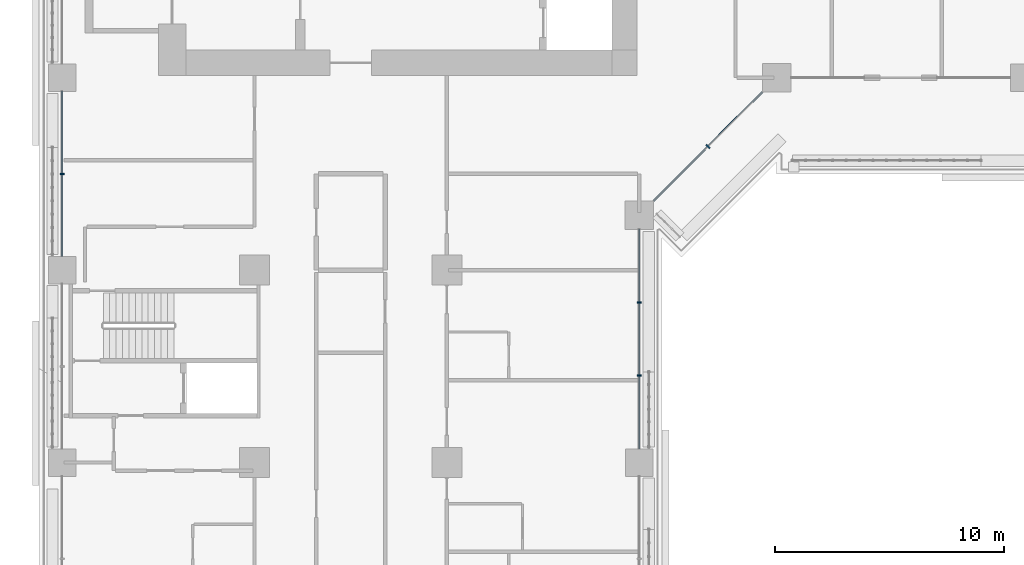
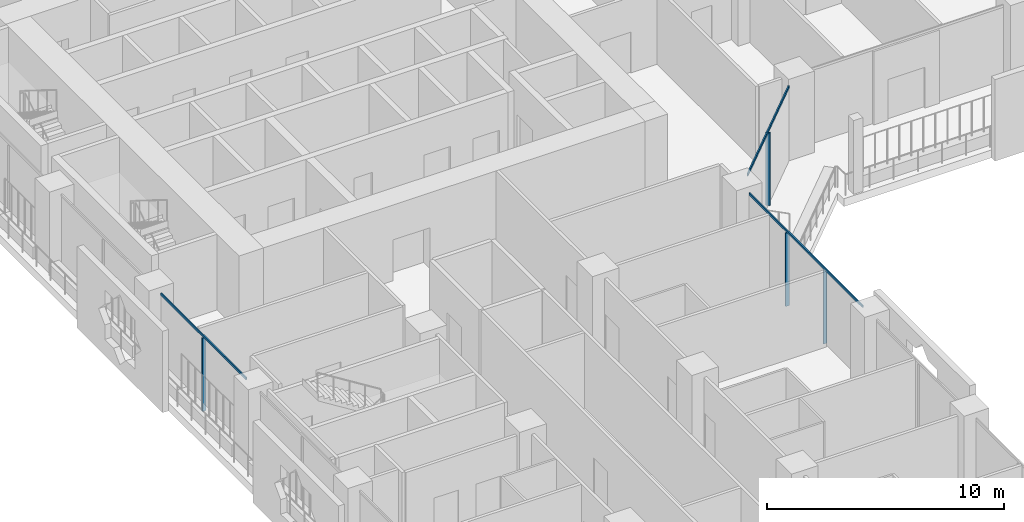
# One storey, part 4 of 28: 7 members, 3 elements without a shape of their own.
"""IFC4 building model written with IfcOpenShell, lengths in metres."""

from ifc_helpers import new_model, si_unit, direction, frame, origin, origin_2d, place, context, subcontext, project, spatial, rectangle, extrude, material, layer, layer_set, material_profile, profile_set, type_object, element, aggregate, save


model = new_model("IFC4")

# Units and contexts
model_context = context("Model", 3, precision=1e-05, world=origin(), true_north=direction((0.0, 1.0)))
body_context = subcontext(model_context, "Body", "Model", "MODEL_VIEW")
ifc_project = project(units=[si_unit("LENGTHUNIT", "METRE"), si_unit("AREAUNIT", "SQUARE_METRE"), si_unit("VOLUMEUNIT", "CUBIC_METRE"), si_unit("PLANEANGLEUNIT", "RADIAN"), si_unit("MASSUNIT", "GRAM", prefix="KILO")], contexts=[model_context])

# Site, building, storey
site_placement = place(None, origin())
site = spatial("IfcSite", under=ifc_project, at=site_placement, CompositionType="ELEMENT")
building_placement = place(site_placement, origin())
building = spatial("IfcBuilding", under=site, at=building_placement, Name="Kawkab Arch Medical Tower", CompositionType="ELEMENT")
storey_placement = place(building_placement, frame((0.0, 0.0, 81.199951171875)))
storey = spatial("IfcBuildingStorey", under=building, at=storey_placement, Name="L18", CompositionType="ELEMENT", Elevation=81.199951171875)

# Curtain wall, member
ifc_material_1 = material(Name="Bronze anodised aluminium curtain wall frame", Category="aluminium")
ifc_layer_1 = layer(ifc_material_1, 0.159912109375)
ifc_layer_set_1 = layer_set([ifc_layer_1], Name="Bronze anodised aluminium curtain wall frame")
curtain_wall_type_1 = type_object("IfcCurtainWallType", Name="CW1 ward curtain wall", PredefinedType="NOTDEFINED", material=ifc_layer_set_1)
placement = place(storey_placement, origin())
curtain_wall_1 = element("IfcCurtainWall", 1, at=placement, inside=storey, type_object=curtain_wall_type_1, Name="CW1 Ward curtain wall R01", PredefinedType="NOTDEFINED")
ifc_material_2 = material(Name="Bronze anodised aluminium curtain wall frame", Category="aluminium")
ifc_material_profile_1 = material_profile(ifc_material_2, rectangle(XDim=0.179931640625, YDim=0.06005859375, at=origin_2d()), Name="AL 60x180")
ifc_profile_set_1 = profile_set([ifc_material_profile_1], Name="Bronze anodised aluminium curtain wall frame")
member_type_1 = type_object("IfcMemberType", Name="CW1 mullion 60 x 180", PredefinedType="MULLION", material=ifc_profile_set_1)
member_1_placement = place(storey_placement, frame((0.0, -29.39990234375, 0.0), z_axis=(0.0, 0.0, 1.0), x_axis=(1.0, 0.0, 0.0)))
member_1 = element("IfcMember", 2, at=member_1_placement, type_object=member_type_1, Name="CW1 mullion 3.1", PredefinedType="MULLION", context=body_context, shape_type="SweptSolid", body=[
    extrude(rectangle(XDim=0.179931640625, YDim=0.06005859375, at=origin_2d()), origin(), (0.0, 0.0, 1.0), 3.780029296875),
])

# Curtain wall, members
curtain_wall_2 = element("IfcCurtainWall", 3, at=placement, inside=storey, type_object=curtain_wall_type_1, Name="CW1 Ward curtain wall R05", PredefinedType="NOTDEFINED")
member_2_placement = place(storey_placement, frame((25.199951171875, -38.208251953125, 0.0), z_axis=(0.0, 0.0, 1.0), x_axis=(-1.0, 0.0, 0.0)))
member_2 = element("IfcMember", 4, at=member_2_placement, type_object=member_type_1, Name="CW1 mullion 4.1", PredefinedType="MULLION", context=body_context, shape_type="SweptSolid", body=[
    extrude(rectangle(XDim=0.179931640625, YDim=0.06005859375, at=origin_2d()), origin(), (0.0, 0.0, 1.0), 3.780029296875),
])
member_3_placement = place(storey_placement, frame((25.199951171875, -35.0166015625, 0.0), z_axis=(0.0, 0.0, 1.0), x_axis=(-1.0, 0.0, 0.0)))
member_3 = element("IfcMember", 5, at=member_3_placement, type_object=member_type_1, Name="CW1 mullion 4.2", PredefinedType="MULLION", context=body_context, shape_type="SweptSolid", body=[
    extrude(rectangle(XDim=0.179931640625, YDim=0.06005859375, at=origin_2d()), origin(), (0.0, 0.0, 1.0), 3.780029296875),
])

# Member
ifc_material_3 = material(Name="Bronze anodised aluminium curtain wall frame", Category="aluminium")
ifc_material_profile_2 = material_profile(ifc_material_3, rectangle(XDim=0.06005859375, YDim=0.1201171875, at=origin_2d()), Name="AL 60x120")
ifc_profile_set_2 = profile_set([ifc_material_profile_2], Name="Bronze anodised aluminium curtain wall frame")
member_type_2 = type_object("IfcMemberType", Name="CW1 transom 120 x 60", PredefinedType="USERDEFINED", material=ifc_profile_set_2)
member_4_placement = place(storey_placement, frame((0.0, -25.800048828125, 3.840087890625), z_axis=(0.0, -1.0, 0.0), x_axis=(1.0, 0.0, 0.0)))
member_4 = element("IfcMember", 6, at=member_4_placement, type_object=member_type_2, Name="CW1 transom 3", ObjectType="TRANSOM", PredefinedType="USERDEFINED", context=body_context, shape_type="SweptSolid", body=[
    extrude(rectangle(XDim=0.06005859375, YDim=0.1201171875, at=origin_2d()), origin(), (0.0, 0.0, 1.0), 7.199951171875),
])

aggregate(curtain_wall_1, [member_4, member_1])

member_5_placement = place(storey_placement, frame((25.199951171875, -41.39990234375, 3.840087890625), z_axis=(0.0, 1.0, 0.0), x_axis=(-1.0, 0.0, 0.0)))
member_5 = element("IfcMember", 7, at=member_5_placement, type_object=member_type_2, Name="CW1 transom 4", ObjectType="TRANSOM", PredefinedType="USERDEFINED", context=body_context, shape_type="SweptSolid", body=[
    extrude(rectangle(XDim=0.06005859375, YDim=0.1201171875, at=origin_2d()), origin(), (0.0, 0.0, 1.0), 9.574951171875),
])

aggregate(curtain_wall_2, [member_5, member_2, member_3])

# Curtain wall, members
ifc_material_4 = material(Name="Bronze anodised aluminium curtain wall frame", Category="aluminium")
ifc_layer_2 = layer(ifc_material_4, 0.159912109375)
ifc_layer_set_2 = layer_set([ifc_layer_2], Name="Bronze anodised aluminium curtain wall frame")
curtain_wall_type_2 = type_object("IfcCurtainWallType", Name="CW2 chamfer curtain wall", PredefinedType="NOTDEFINED", material=ifc_layer_set_2)
curtain_wall_3 = element("IfcCurtainWall", 8, at=placement, inside=storey, type_object=curtain_wall_type_2, Name="CW2 Chamfer curtain wall R06", PredefinedType="NOTDEFINED")
ifc_material_5 = material(Name="Bronze anodised aluminium curtain wall frame", Category="aluminium")
ifc_material_profile_3 = material_profile(ifc_material_5, rectangle(XDim=0.199951171875, YDim=0.06005859375, at=origin_2d()), Name="AL 60x200")
ifc_profile_set_3 = profile_set([ifc_material_profile_3], Name="Bronze anodised aluminium curtain wall frame")
member_type_3 = type_object("IfcMemberType", Name="CW2 mullion 60 x 200", PredefinedType="MULLION", material=ifc_profile_set_3)
member_6_placement = place(storey_placement, frame((28.199951171875, -28.199951171875, 0.0), z_axis=(0.0, 0.0, 1.0), x_axis=(-0.707106781187, 0.707106781187, 0.0)))
member_6 = element("IfcMember", 9, at=member_6_placement, type_object=member_type_3, Name="CW2 mullion 1.1", PredefinedType="MULLION", context=body_context, shape_type="SweptSolid", body=[
    extrude(rectangle(XDim=0.199951171875, YDim=0.06005859375, at=origin_2d()), origin(), (0.0, 0.0, 1.0), 3.760009765625),
])
ifc_material_6 = material(Name="Bronze anodised aluminium curtain wall frame", Category="aluminium")
ifc_material_profile_4 = material_profile(ifc_material_6, rectangle(XDim=0.06005859375, YDim=0.139892578125, at=origin_2d()), Name="AL 60x140")
ifc_profile_set_4 = profile_set([ifc_material_profile_4], Name="Bronze anodised aluminium curtain wall frame")
member_type_4 = type_object("IfcMemberType", Name="CW2 transom 140 x 60", PredefinedType="USERDEFINED", material=ifc_profile_set_4)
member_7_placement = place(storey_placement, frame((25.824951171875, -30.574951171875, 3.830078125), z_axis=(0.707106781187, 0.707106781187, 0.0), x_axis=(-0.707106781187, 0.707106781187, 0.0)))
member_7 = element("IfcMember", 10, at=member_7_placement, type_object=member_type_4, Name="CW2 transom 1", ObjectType="TRANSOM", PredefinedType="USERDEFINED", context=body_context, shape_type="SweptSolid", body=[
    extrude(rectangle(XDim=0.06005859375, YDim=0.139892578125, at=origin_2d()), origin(), (0.0, 0.0, 1.0), 6.717529296875),
])
aggregate(curtain_wall_3, [member_7, member_6])

save(model, "model.ifc")
